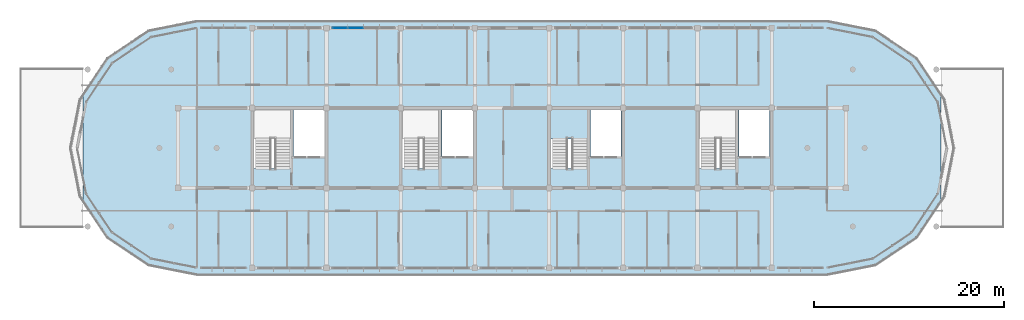
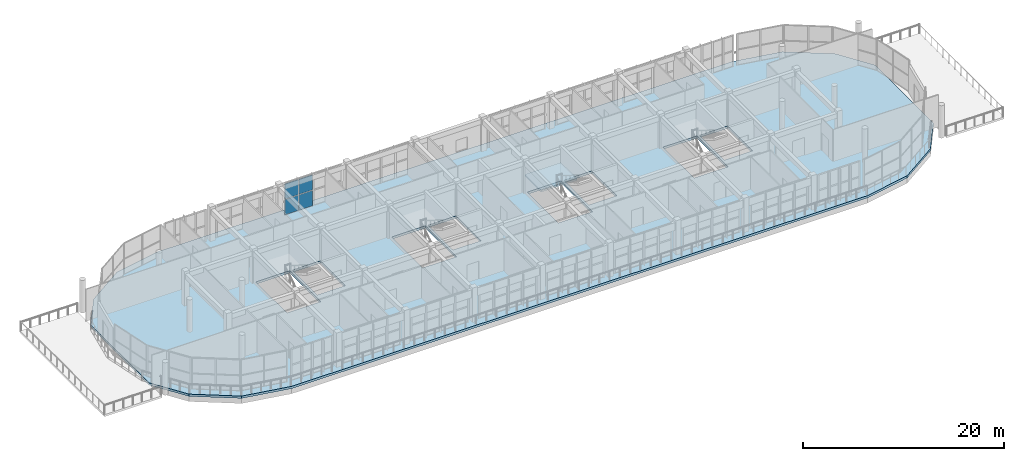
# One storey, part 35 of 50: 4 plates, 2 slabs, 2 elements without a shape of their own.
"""IFC4 building model written with IfcOpenShell, lengths in metres."""

from ifc_helpers import new_model, si_unit, direction, frame, origin, origin_2d, place, context, subcontext, project, spatial, polyline, rectangle, outline, extrude, material, layer, layer_set, type_object, element, aggregate, save


model = new_model("IFC4")

# Units and contexts
model_context = context("Model", 3, precision=1e-05, world=origin(), true_north=direction((0.0, 1.0)))
body_context = subcontext(model_context, "Body", "Model", "MODEL_VIEW")
ifc_project = project(units=[si_unit("LENGTHUNIT", "METRE"), si_unit("AREAUNIT", "SQUARE_METRE"), si_unit("VOLUMEUNIT", "CUBIC_METRE"), si_unit("PLANEANGLEUNIT", "RADIAN"), si_unit("MASSUNIT", "GRAM", prefix="KILO")], contexts=[model_context])

# Site, building, storey
site_placement = place(None, origin())
site = spatial("IfcSite", under=ifc_project, at=site_placement, CompositionType="ELEMENT")
building_placement = place(site_placement, origin())
building = spatial("IfcBuilding", under=site, at=building_placement, Name="Zizhar Promenade General Hospital", CompositionType="ELEMENT")
storey_placement = place(building_placement, frame((0.0, 0.0, 30.60009765625)))
storey = spatial("IfcBuildingStorey", under=building, at=storey_placement, Name="L07", CompositionType="ELEMENT", Elevation=30.60009765625)

# Curtain wall, plates
ifc_material_1 = material(Name="Anodised aluminium 6063-T6 and low-E glass", Category="aluminium")
ifc_layer_1 = layer(ifc_material_1, 0.159912109375)
ifc_layer_set_1 = layer_set([ifc_layer_1], Name="Anodised aluminium 6063-T6 and low-E glass")
curtain_wall_type = type_object("IfcCurtainWallType", Name="CW-WARD-RIB", PredefinedType="NOTDEFINED", material=ifc_layer_set_1)
curtain_wall_placement = place(storey_placement, origin())
curtain_wall = element("IfcCurtainWall", 1, at=curtain_wall_placement, inside=storey, type_object=curtain_wall_type, Name="Ward Ribbon Curtain Wall L07-8-2", PredefinedType="NOTDEFINED")
ifc_material_2 = material(Name="Low-E solar-control glass", Category="glass")
ifc_layer_2 = layer(ifc_material_2, 0.031982421875)
ifc_layer_set_2 = layer_set([ifc_layer_2], Name="Low-E solar-control glass")
plate_type = type_object("IfcPlateType", Name="CWP-GLZ-32", PredefinedType="CURTAIN_PANEL", material=ifc_layer_set_2)
plate_1_placement = place(storey_placement, frame((56.030029296875, 25.199951171875, 0.06005859375), z_axis=(0.0, 0.0, 1.0), x_axis=(1.0, 0.0, 0.0)))
plate_1 = element("IfcPlate", 2, at=plate_1_placement, type_object=plate_type, Name="CW-13 panel 1.1", PredefinedType="CURTAIN_PANEL", context=body_context, shape_type="SweptSolid", body=[
    extrude(rectangle(XDim=1.5400390625, YDim=0.031982421875, at=origin_2d()), origin(), (0.0, 0.0, 1.0), 1.860107421875),
])
plate_2_placement = place(storey_placement, frame((56.030029296875, 25.199951171875, 1.97998046875), z_axis=(0.0, 0.0, 1.0), x_axis=(1.0, 0.0, 0.0)))
plate_2 = element("IfcPlate", 3, at=plate_2_placement, type_object=plate_type, Name="CW-13 panel 1.2", PredefinedType="CURTAIN_PANEL", context=body_context, shape_type="SweptSolid", body=[
    extrude(rectangle(XDim=1.5400390625, YDim=0.031982421875, at=origin_2d()), origin(), (0.0, 0.0, 1.0), 1.860107421875),
])
plate_3_placement = place(storey_placement, frame((57.669921875, 25.199951171875, 0.06005859375), z_axis=(0.0, 0.0, 1.0), x_axis=(1.0, 0.0, 0.0)))
plate_3 = element("IfcPlate", 4, at=plate_3_placement, type_object=plate_type, Name="CW-13 panel 2.1", PredefinedType="CURTAIN_PANEL", context=body_context, shape_type="SweptSolid", body=[
    extrude(rectangle(XDim=1.580078125, YDim=0.031982421875, at=origin_2d()), origin(), (0.0, 0.0, 1.0), 1.860107421875),
])
plate_4_placement = place(storey_placement, frame((57.669921875, 25.199951171875, 1.97998046875), z_axis=(0.0, 0.0, 1.0), x_axis=(1.0, 0.0, 0.0)))
plate_4 = element("IfcPlate", 5, at=plate_4_placement, type_object=plate_type, Name="CW-13 panel 2.2", PredefinedType="CURTAIN_PANEL", context=body_context, shape_type="SweptSolid", body=[
    extrude(rectangle(XDim=1.580078125, YDim=0.031982421875, at=origin_2d()), origin(), (0.0, 0.0, 1.0), 1.860107421875),
])
aggregate(curtain_wall, [plate_1, plate_2, plate_3, plate_4])

# Slab
ifc_material_3 = material(Name="Concrete C35/45", Category="concrete")
ifc_layer_3 = layer(ifc_material_3, 0.280029296875)
ifc_layer_set_3 = layer_set([ifc_layer_3], Name="Concrete C35/45")
slab_type_1 = type_object("IfcSlabType", Name="SLB-FLR-280", PredefinedType="FLOOR", material=ifc_layer_set_3)
slab_1_placement = place(storey_placement, frame((0.0, 0.0, -0.280029296875)))
element("IfcSlab", 6, at=slab_1_placement, inside=storey, type_object=slab_type_1, Name="Level L07 Inpatient Ward Pillow Floor Slab", PredefinedType="FLOOR", context=body_context, shape_type="SweptSolid", body=[
    extrude(outline(polyline([(35.852783203125, 25.026123046875), (41.0, 26.050048828125), (107.199951171875, 26.050048828125), (112.34716796875, 25.026123046875), (116.710693359375, 22.110595703125), (119.179931640625, 18.414794921875), (119.179931640625, 6.78515625), (116.710693359375, 3.08935546875), (112.34716796875, 0.173828125), (107.199951171875, -0.85009765625), (41.0, -0.85009765625), (35.852783203125, 0.173828125), (31.489501953125, 3.08935546875), (29.02001953125, 6.78515625), (29.02001953125, 18.414794921875), (31.489501953125, 22.110595703125), (35.852783203125, 25.026123046875)]), holes=[polyline([(46.97998046875, 10.429931640625), (46.97998046875, 16.6201171875), (50.8798828125, 16.6201171875), (50.8798828125, 10.429931640625), (46.97998046875, 10.429931640625)]), polyline([(51.14990234375, 11.6201171875), (51.14990234375, 16.580078125), (54.3798828125, 16.580078125), (54.3798828125, 11.6201171875), (51.14990234375, 11.6201171875)]), polyline([(62.580078125, 10.429931640625), (62.580078125, 16.6201171875), (66.47998046875, 16.6201171875), (66.47998046875, 10.429931640625), (62.580078125, 10.429931640625)]), polyline([(66.75, 11.6201171875), (66.75, 16.580078125), (69.97998046875, 16.580078125), (69.97998046875, 11.6201171875), (66.75, 11.6201171875)]), polyline([(78.179931640625, 10.429931640625), (78.179931640625, 16.6201171875), (82.080078125, 16.6201171875), (82.080078125, 10.429931640625), (78.179931640625, 10.429931640625)]), polyline([(82.35009765625, 11.6201171875), (82.35009765625, 16.580078125), (85.580078125, 16.580078125), (85.580078125, 11.6201171875), (82.35009765625, 11.6201171875)]), polyline([(93.780029296875, 10.429931640625), (93.780029296875, 16.6201171875), (97.679931640625, 16.6201171875), (97.679931640625, 10.429931640625), (93.780029296875, 10.429931640625)]), polyline([(97.949951171875, 11.6201171875), (97.949951171875, 16.580078125), (101.179931640625, 16.580078125), (101.179931640625, 11.6201171875), (97.949951171875, 11.6201171875)])]), origin(), (0.0, 0.0, 1.0), 0.280029296875),
])

# Stair, slab
ifc_material_4 = material(Name="Concrete C35/45", Category="concrete")
stair_type = type_object("IfcStairType", Name="STR-DOG-420", PredefinedType="HALF_TURN_STAIR", material=ifc_material_4)
stair_placement = place(storey_placement, origin())
stair = element("IfcStair", 7, at=stair_placement, inside=storey, type_object=stair_type, Name="Exit Stair ST-04 (L07 to L08)", PredefinedType="HALF_TURN_STAIR")
ifc_material_5 = material(Name="Concrete C35/45", Category="concrete")
ifc_layer_4 = layer(ifc_material_5, 0.2099609375)
ifc_layer_set_4 = layer_set([ifc_layer_4], Name="Concrete C35/45")
slab_type_2 = type_object("IfcSlabType", Name="SLB-LAND-420", PredefinedType="LANDING", material=ifc_layer_set_4)
slab_2_placement = place(storey_placement, frame((0.0, 0.0, 1.889892578125)))
slab_2 = element("IfcSlab", 8, at=slab_2_placement, type_object=slab_type_2, Name="ST-04C landing 1", PredefinedType="LANDING", context=body_context, shape_type="SweptSolid", body=[
    extrude(outline(polyline([(78.0, 13.570068359375), (82.14990234375, 13.570068359375), (82.14990234375, 16.800048828125), (78.0, 16.800048828125), (78.0, 13.570068359375)])), origin(), (0.0, 0.0, 1.0), 0.2099609375),
])
aggregate(stair, [slab_2])

save(model, "model.ifc")
